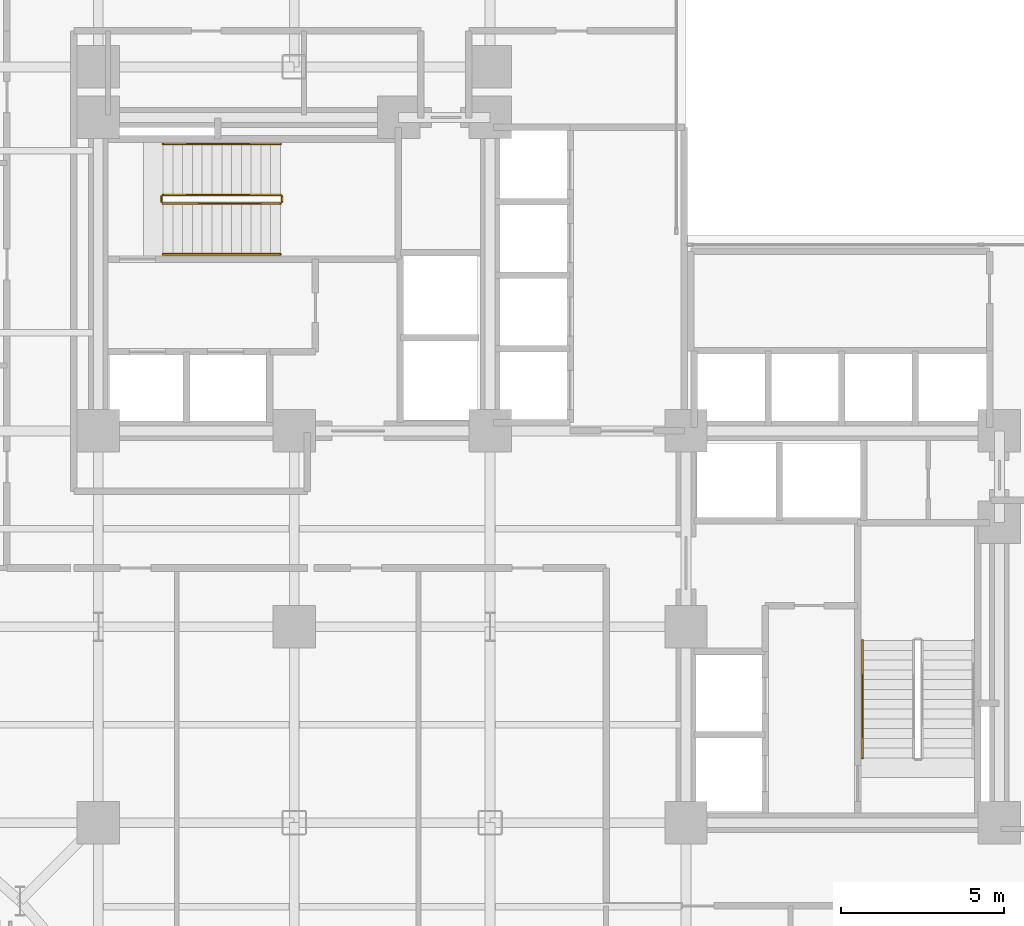
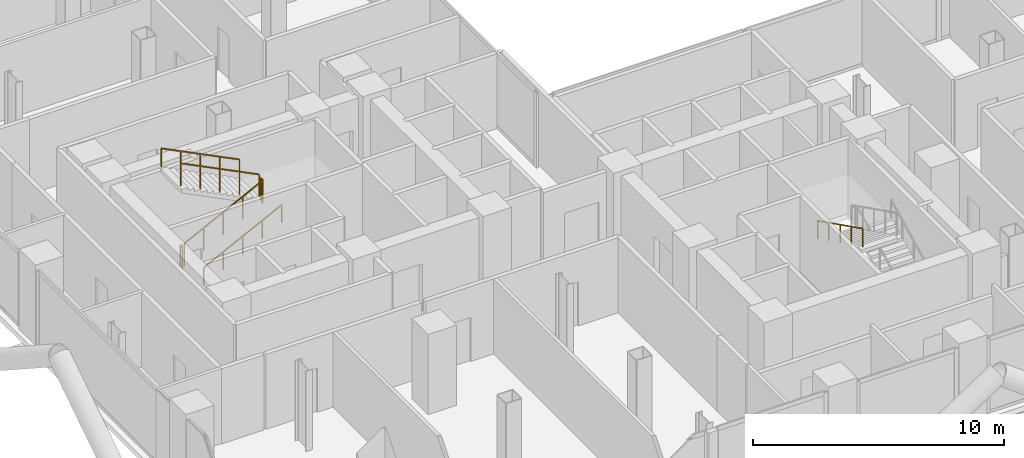
# One storey, part 25 of 27: 7 railings.
"""IFC4 building model written with IfcOpenShell, lengths in metres."""

from ifc_helpers import new_model, si_unit, direction, frame, origin, origin_2d, place, context, subcontext, project, spatial, rectangle, extrude, material, type_object, element, save


model = new_model("IFC4")

# Units and contexts
model_context = context("Model", 3, precision=1e-05, world=origin(), true_north=direction((0.0, 1.0)))
body_context = subcontext(model_context, "Body", "Model", "MODEL_VIEW")
ifc_project = project(units=[si_unit("LENGTHUNIT", "METRE"), si_unit("AREAUNIT", "SQUARE_METRE"), si_unit("VOLUMEUNIT", "CUBIC_METRE"), si_unit("PLANEANGLEUNIT", "RADIAN"), si_unit("MASSUNIT", "GRAM", prefix="KILO"), si_unit("THERMODYNAMICTEMPERATUREUNIT", "KELVIN"), si_unit("POWERUNIT", "WATT")], contexts=[model_context])

# Site, building, storey
site_placement = place(None, origin())
site = spatial("IfcSite", under=ifc_project, at=site_placement, CompositionType="ELEMENT")
building_placement = place(site_placement, origin())
building = spatial("IfcBuilding", under=site, at=building_placement, Name="Svarakhadi Broadcast Tower", CompositionType="ELEMENT")
storey_placement = place(building_placement, frame((0.0, 0.0, 59.699951171875)))
storey = spatial("IfcBuildingStorey", under=building, at=storey_placement, Name="L13", CompositionType="ELEMENT", Elevation=59.699951171875)

# Railings
ifc_material = material(Name="Anodised Bronze Aluminium AA 6063-T6", Category="aluminium")
railing_type_1 = type_object("IfcRailingType", Name="Guard_Stair_GR01", PredefinedType="GUARDRAIL", material=ifc_material)
railing_1_placement = place(storey_placement, frame((7.97998046875, 24.969970703125, 0.150146484375)))
element("IfcRailing", 1, at=railing_1_placement, inside=storey, type_object=railing_type_1, Name="L13 ST-01 stair guard 1", PredefinedType="GUARDRAIL", context=body_context, shape_type="SweptSolid", body=[
    extrude(rectangle(XDim=0.048095703125, YDim=0.048095703125, at=origin_2d()), frame((0.0, 0.0, 1.09619140625), z_axis=(0.894451452574, 0.0, 0.447165069061), x_axis=(0.0, 1.0, 0.0)), (0.0, 0.0, 1.0), 4.02490234375),
    extrude(rectangle(XDim=0.0419921875, YDim=0.0419921875, at=origin_2d()), origin(), (0.0, 0.0, 1.0), 1.072021484375),
    extrude(rectangle(XDim=0.0419921875, YDim=0.0419921875, at=origin_2d()), frame((0.89990234375, 0.0, 0.449951171875)), (0.0, 0.0, 1.0), 1.072021484375),
    extrude(rectangle(XDim=0.0419921875, YDim=0.0419921875, at=origin_2d()), frame((1.800048828125, 0.0, 0.89990234375)), (0.0, 0.0, 1.0), 1.072021484375),
    extrude(rectangle(XDim=0.0419921875, YDim=0.0419921875, at=origin_2d()), frame((2.7001953125, 0.0, 1.349853515625)), (0.0, 0.0, 1.0), 1.072021484375),
    extrude(rectangle(XDim=0.0419921875, YDim=0.0419921875, at=origin_2d()), frame((3.60009765625, 0.0, 1.7998046875)), (0.0, 0.0, 1.0), 1.072021484375),
])
railing_2_placement = place(storey_placement, frame((11.6298828125, 25.02001953125, 1.949951171875)))
element("IfcRailing", 2, at=railing_2_placement, inside=storey, type_object=railing_type_1, Name="L13 ST-01 stair guard 2", PredefinedType="GUARDRAIL", context=body_context, shape_type="SweptSolid", body=[
    extrude(rectangle(XDim=0.048095703125, YDim=0.048095703125, at=origin_2d()), frame((0.0, 0.0, 1.09619140625), z_axis=(0.0, 1.0, 0.0), x_axis=(-1.0, 0.0, 0.0)), (0.0, 0.0, 1.0), 0.159912109375),
    extrude(rectangle(XDim=0.0419921875, YDim=0.0419921875, at=origin_2d()), origin(), (0.0, 0.0, 1.0), 1.072021484375),
    extrude(rectangle(XDim=0.0419921875, YDim=0.0419921875, at=origin_2d()), frame((0.0, 0.159912109375, 0.0)), (0.0, 0.0, 1.0), 1.072021484375),
])
railing_3_placement = place(storey_placement, frame((11.580078125, 25.22998046875, 2.10009765625)))
element("IfcRailing", 3, at=railing_3_placement, inside=storey, type_object=railing_type_1, Name="L13 ST-01 stair guard 3", PredefinedType="GUARDRAIL", context=body_context, shape_type="SweptSolid", body=[
    extrude(rectangle(XDim=0.048095703125, YDim=0.048095703125, at=origin_2d()), frame((0.0, 0.0, 1.09619140625), z_axis=(-0.894427191, 0.0, 0.4472135955), x_axis=(0.0, -1.0, 0.0)), (0.0, 0.0, 1.0), 4.025146484375),
    extrude(rectangle(XDim=0.0419921875, YDim=0.0419921875, at=origin_2d()), origin(), (0.0, 0.0, 1.0), 1.072021484375),
    extrude(rectangle(XDim=0.0419921875, YDim=0.0419921875, at=origin_2d()), frame((-0.89990234375, 0.0, 0.449951171875)), (0.0, 0.0, 1.0), 1.072021484375),
    extrude(rectangle(XDim=0.0419921875, YDim=0.0419921875, at=origin_2d()), frame((-1.800048828125, 0.0, 0.89990234375)), (0.0, 0.0, 1.0), 1.072021484375),
    extrude(rectangle(XDim=0.0419921875, YDim=0.0419921875, at=origin_2d()), frame((-2.7001953125, 0.0, 1.35009765625)), (0.0, 0.0, 1.0), 1.072021484375),
    extrude(rectangle(XDim=0.0419921875, YDim=0.0419921875, at=origin_2d()), frame((-3.60009765625, 0.0, 1.800048828125)), (0.0, 0.0, 1.0), 1.072021484375),
])
railing_4_placement = place(storey_placement, frame((7.929931640625, 25.02001953125, 0.0)))
element("IfcRailing", 4, at=railing_4_placement, inside=storey, type_object=railing_type_1, Name="L13 ST-01 stair guard 4", PredefinedType="GUARDRAIL", context=body_context, shape_type="SweptSolid", body=[
    extrude(rectangle(XDim=0.048095703125, YDim=0.048095703125, at=origin_2d()), frame((0.0, 0.0, 1.09619140625), z_axis=(0.0, 1.0, 0.0), x_axis=(-1.0, 0.0, 0.0)), (0.0, 0.0, 1.0), 0.159912109375),
    extrude(rectangle(XDim=0.0419921875, YDim=0.0419921875, at=origin_2d()), origin(), (0.0, 0.0, 1.0), 1.072021484375),
    extrude(rectangle(XDim=0.0419921875, YDim=0.0419921875, at=origin_2d()), frame((0.0, 0.159912109375, 0.0)), (0.0, 0.0, 1.0), 1.072021484375),
])
railing_type_2 = type_object("IfcRailingType", Name="Handrail_Stair_HR01", PredefinedType="HANDRAIL", material=ifc_material)
railing_5_placement = place(storey_placement, frame((7.97998046875, 23.409912109375, 0.150146484375)))
element("IfcRailing", 5, at=railing_5_placement, inside=storey, type_object=railing_type_2, Name="L13 ST-01 stair handrail 1", PredefinedType="HANDRAIL", context=body_context, shape_type="SweptSolid", body=[
    extrude(rectangle(XDim=0.048095703125, YDim=0.048095703125, at=origin_2d()), frame((0.0, 0.0, 0.8759765625), z_axis=(0.894451452574, 0.0, 0.447165069061), x_axis=(0.0, 1.0, 0.0)), (0.0, 0.0, 1.0), 4.02490234375),
    extrude(rectangle(XDim=0.0419921875, YDim=0.0419921875, at=origin_2d()), origin(), (0.0, 0.0, 1.0), 0.851806640625),
    extrude(rectangle(XDim=0.0419921875, YDim=0.0419921875, at=origin_2d()), frame((0.89990234375, 0.0, 0.449951171875)), (0.0, 0.0, 1.0), 0.851806640625),
    extrude(rectangle(XDim=0.0419921875, YDim=0.0419921875, at=origin_2d()), frame((1.800048828125, 0.0, 0.89990234375)), (0.0, 0.0, 1.0), 0.851806640625),
    extrude(rectangle(XDim=0.0419921875, YDim=0.0419921875, at=origin_2d()), frame((2.7001953125, 0.0, 1.349853515625)), (0.0, 0.0, 1.0), 0.851806640625),
    extrude(rectangle(XDim=0.0419921875, YDim=0.0419921875, at=origin_2d()), frame((3.60009765625, 0.0, 1.7998046875)), (0.0, 0.0, 1.0), 0.851806640625),
])
railing_6_placement = place(storey_placement, frame((11.580078125, 26.7900390625, 2.10009765625)))
element("IfcRailing", 6, at=railing_6_placement, inside=storey, type_object=railing_type_2, Name="L13 ST-01 stair handrail 2", PredefinedType="HANDRAIL", context=body_context, shape_type="SweptSolid", body=[
    extrude(rectangle(XDim=0.048095703125, YDim=0.048095703125, at=origin_2d()), frame((0.0, 0.0, 0.8759765625), z_axis=(-0.894427191, 0.0, 0.4472135955), x_axis=(0.0, -1.0, 0.0)), (0.0, 0.0, 1.0), 4.025146484375),
    extrude(rectangle(XDim=0.0419921875, YDim=0.0419921875, at=origin_2d()), origin(), (0.0, 0.0, 1.0), 0.851806640625),
    extrude(rectangle(XDim=0.0419921875, YDim=0.0419921875, at=origin_2d()), frame((-0.89990234375, 0.0, 0.449951171875)), (0.0, 0.0, 1.0), 0.851806640625),
    extrude(rectangle(XDim=0.0419921875, YDim=0.0419921875, at=origin_2d()), frame((-1.800048828125, 0.0, 0.89990234375)), (0.0, 0.0, 1.0), 0.851806640625),
    extrude(rectangle(XDim=0.0419921875, YDim=0.0419921875, at=origin_2d()), frame((-2.7001953125, 0.0, 1.35009765625)), (0.0, 0.0, 1.0), 0.851806640625),
    extrude(rectangle(XDim=0.0419921875, YDim=0.0419921875, at=origin_2d()), frame((-3.60009765625, 0.0, 1.800048828125)), (0.0, 0.0, 1.0), 0.851806640625),
])
railing_7_placement = place(storey_placement, frame((29.409912109375, 11.580078125, 2.10009765625)))
element("IfcRailing", 7, at=railing_7_placement, inside=storey, type_object=railing_type_2, Name="L13 ST-02 stair handrail 2", PredefinedType="HANDRAIL", context=body_context, shape_type="SweptSolid", body=[
    extrude(rectangle(XDim=0.048095703125, YDim=0.048095703125, at=origin_2d()), frame((0.0, 0.0, 0.8759765625), z_axis=(0.0, -0.894427191, 0.4472135955), x_axis=(1.0, 0.0, 0.0)), (0.0, 0.0, 1.0), 4.025146484375),
    extrude(rectangle(XDim=0.0419921875, YDim=0.0419921875, at=origin_2d()), origin(), (0.0, 0.0, 1.0), 0.851806640625),
    extrude(rectangle(XDim=0.0419921875, YDim=0.0419921875, at=origin_2d()), frame((0.0, -0.89990234375, 0.449951171875)), (0.0, 0.0, 1.0), 0.851806640625),
    extrude(rectangle(XDim=0.0419921875, YDim=0.0419921875, at=origin_2d()), frame((0.0, -1.800048828125, 0.89990234375)), (0.0, 0.0, 1.0), 0.851806640625),
    extrude(rectangle(XDim=0.0419921875, YDim=0.0419921875, at=origin_2d()), frame((0.0, -2.7001953125, 1.35009765625)), (0.0, 0.0, 1.0), 0.851806640625),
    extrude(rectangle(XDim=0.0419921875, YDim=0.0419921875, at=origin_2d()), frame((0.0, -3.60009765625, 1.800048828125)), (0.0, 0.0, 1.0), 0.851806640625),
])

save(model, "model.ifc")
